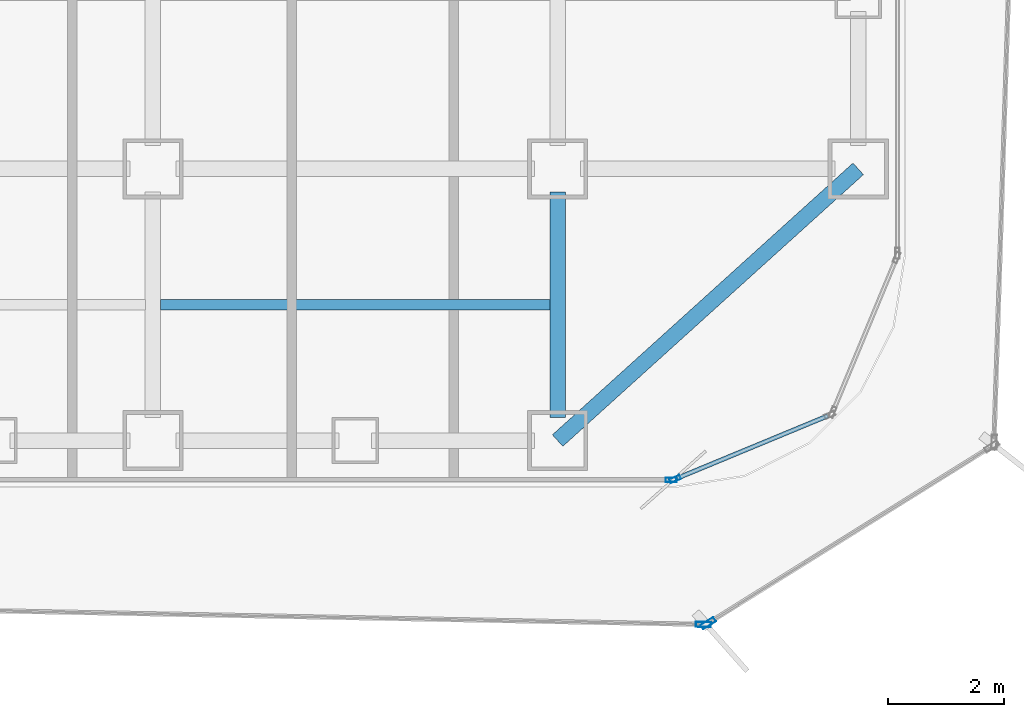
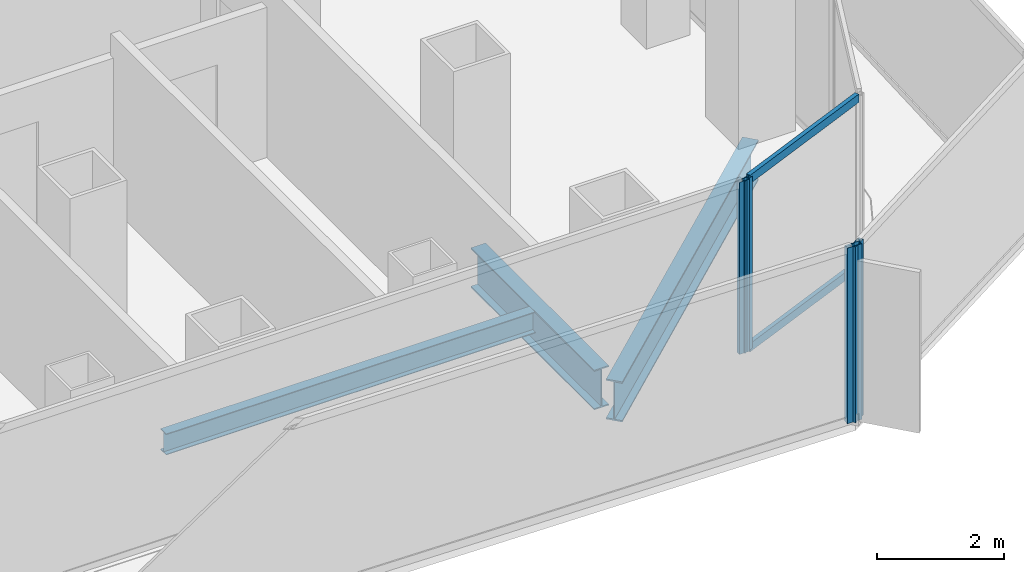
# One storey, part 6 of 22: 6 members, 3 beams, 4 elements without a shape of their own.
"""IFC4 building model written with IfcOpenShell, lengths in metres."""

import ifcopenshell
import ifcopenshell.guid

model = None  # the IFC model being written
_history = None  # IfcOwnerHistory: only IFC2X3 demands one
_inside = {}  # id of a spatial element -> (the spatial element, [elements in it])
_under = {}  # id of a project, library or spatial element -> (it, [spatial elements below it])
_declared = {}  # id of a project -> (the project, [libraries it declares])
_typed = {}  # id of a type object -> (the type object, [elements of that type])
_made_of = {}  # id of a material, layer set ... -> (it, [elements and type objects made of it])


def new_model(schema):
    """Start an empty IFC model of exactly this schema.

    Asked for "IFC4X3", IfcOpenShell would pick the latest addendum, in which some entities
    have other attributes; the version numbers below select the first issue.
    IFC2X3 requires an IfcOwnerHistory on every rooted entity: one is made here for all.
    """
    global model, _history
    if schema == "IFC4X3":
        model = ifcopenshell.file(schema_version=(4, 3, 0, 0))
    else:
        model = ifcopenshell.file(schema=schema)
    _inside.clear()
    _under.clear()
    _declared.clear()
    _typed.clear()
    _made_of.clear()
    _history = None
    if model.schema == "IFC2X3":
        org = make("IfcOrganization", Name="unknown")
        user = make(
            "IfcPersonAndOrganization",
            ThePerson=make("IfcPerson", FamilyName="unknown"),
            TheOrganization=org,
        )
        app = make(
            "IfcApplication",
            ApplicationDeveloper=org,
            Version="unknown",
            ApplicationFullName="unknown",
            ApplicationIdentifier="unknown",
        )
        _history = make(
            "IfcOwnerHistory",
            OwningUser=user,
            OwningApplication=app,
            ChangeAction="ADDED",
            CreationDate=0,
        )
    return model


def make(cls, **values):
    """One entity of the class cls with the attributes given. An attribute that is None is left unset."""
    return model.create_entity(
        cls, **{name: value for name, value in values.items() if value is not None}
    )


def rooted(cls, **values):
    """An entity with a GlobalId (a new one), such as an element, a storey or a relation."""
    return make(cls, GlobalId=ifcopenshell.guid.new(), OwnerHistory=_history, **values)


def si_unit(unit_type, name, prefix=None):
    """IfcSIUnit, for example si_unit("LENGTHUNIT", "METRE", prefix="MILLI")."""
    return make("IfcSIUnit", UnitType=unit_type, Prefix=prefix, Name=name)


def assignment(units):
    """IfcUnitAssignment: the units of a project."""
    return None if units is None else make("IfcUnitAssignment", Units=units)


def point(xyz):
    """IfcCartesianPoint."""
    return None if xyz is None else make("IfcCartesianPoint", Coordinates=xyz)


def direction(xyz):
    """IfcDirection."""
    return None if xyz is None else make("IfcDirection", DirectionRatios=xyz)


def frame(location, z_axis=None, x_axis=None):
    """IfcAxis2Placement3D, a coordinate frame: its origin and axes. An axis left out is left unset."""
    return make(
        "IfcAxis2Placement3D",
        Location=point(location),
        Axis=direction(z_axis),
        RefDirection=direction(x_axis),
    )


def frame_2d(location, x_axis=None):
    """IfcAxis2Placement2D, a coordinate frame in the plane: its origin and x axis."""
    return make(
        "IfcAxis2Placement2D", Location=point(location), RefDirection=direction(x_axis)
    )


def origin():
    """The frame at (0, 0, 0) with its axes left unset."""
    return frame((0.0, 0.0, 0.0))


def origin_2d():
    """The frame at (0, 0) in the plane with its x axis left unset."""
    return frame_2d((0.0, 0.0))


def place(relative_to, where):
    """IfcLocalPlacement: puts the frame where relative to a parent placement (None: the world)."""
    return make(
        "IfcLocalPlacement", PlacementRelTo=relative_to, RelativePlacement=where
    )


def context(
    kind, dimensions, precision=None, world=None, true_north=None, identifier=None
):
    """IfcGeometricRepresentationContext, for example the 3D "Model" context."""
    return make(
        "IfcGeometricRepresentationContext",
        ContextIdentifier=identifier,
        ContextType=kind,
        CoordinateSpaceDimension=dimensions,
        Precision=precision,
        WorldCoordinateSystem=world,
        TrueNorth=true_north,
    )


def subcontext(parent, identifier, kind, view, scale=None):
    """IfcGeometricRepresentationSubContext, for example "Body" below "Model"."""
    return make(
        "IfcGeometricRepresentationSubContext",
        ContextIdentifier=identifier,
        ContextType=kind,
        ParentContext=parent,
        TargetScale=scale,
        TargetView=view,
    )


def project(units=None, contexts=None):
    """IfcProject with its units and contexts."""
    return rooted(
        "IfcProject",
        Name="project",
        RepresentationContexts=contexts,
        UnitsInContext=assignment(units),
    )


def spatial(cls, under=None, at=None, **own):
    """A site, building, storey or space (cls), placed at a placement, below another one or the project."""
    s = rooted(cls, ObjectPlacement=at, **own)
    if under is not None:
        _under.setdefault(under.id(), (under, []))[1].append(s)
    return s


def profile(cls, at=None, kind="AREA", **sizes):
    """A parametric profile (cls). Its sizes go by their IFC names, for example OverallWidth=200.0."""
    return make(cls, ProfileType=kind, Position=at, **sizes)


def hollow_rectangle(**sizes):
    """IfcRectangleHollowProfileDef."""
    return profile("IfcRectangleHollowProfileDef", **sizes)


def i_section(**sizes):
    """IfcIShapeProfileDef."""
    return profile("IfcIShapeProfileDef", **sizes)


def extrude(swept, where, along, depth):
    """IfcExtrudedAreaSolid: the profile swept, set in the frame where, extruded along a direction by depth."""
    return make(
        "IfcExtrudedAreaSolid",
        SweptArea=swept,
        Position=where,
        ExtrudedDirection=direction(along),
        Depth=depth,
    )


def shape(context_of_items, identifier, shape_type, items):
    """IfcShapeRepresentation: the items that make up one representation, for example the "Body"."""
    return make(
        "IfcShapeRepresentation",
        ContextOfItems=context_of_items,
        RepresentationIdentifier=identifier,
        RepresentationType=shape_type,
        Items=items,
    )


def source(mapping_origin, context_of_items, identifier, shape_type, items):
    """IfcRepresentationMap: a shape defined once, which mapped items show again and again."""
    return make(
        "IfcRepresentationMap",
        MappingOrigin=mapping_origin,
        MappedRepresentation=shape(context_of_items, identifier, shape_type, items),
    )


def transform(
    local_origin,
    x_axis=None,
    y_axis=None,
    z_axis=None,
    scale=None,
    scale2=None,
    scale3=None,
    uniform=True,
):
    """IfcCartesianTransformationOperator3D, or its non-uniform kind. x_axis, y_axis, z_axis: its Axis1, 2, 3."""
    if uniform:
        return make(
            "IfcCartesianTransformationOperator3D",
            Axis1=direction(x_axis),
            Axis2=direction(y_axis),
            LocalOrigin=point(local_origin),
            Scale=scale,
            Axis3=direction(z_axis),
        )
    return make(
        "IfcCartesianTransformationOperator3DnonUniform",
        Axis1=direction(x_axis),
        Axis2=direction(y_axis),
        LocalOrigin=point(local_origin),
        Scale=scale,
        Axis3=direction(z_axis),
        Scale2=scale2,
        Scale3=scale3,
    )


def mapped(mapping_source, mapping_target):
    """IfcMappedItem: shows the shape of a source again, moved by a transform."""
    return make(
        "IfcMappedItem", MappingSource=mapping_source, MappingTarget=mapping_target
    )


def material(Name=None, Category=None):
    """IfcMaterial."""
    return make("IfcMaterial", Name=Name, Category=Category)


def layer(
    of_material, thickness, ventilated=None, Name=None, Category=None, Priority=None
):
    """IfcMaterialLayer: one layer of a wall or slab, of a material (None: an air gap)."""
    return make(
        "IfcMaterialLayer",
        Material=of_material,
        LayerThickness=thickness,
        IsVentilated=ventilated,
        Name=Name,
        Category=Category,
        Priority=Priority,
    )


def layer_set(layers, Name=None):
    """IfcMaterialLayerSet."""
    return make("IfcMaterialLayerSet", MaterialLayers=layers, LayerSetName=Name)


def material_profile(
    of_material, cross_section, Name=None, Category=None, Priority=None
):
    """IfcMaterialProfile: a cross section and its material."""
    return make(
        "IfcMaterialProfile",
        Name=Name,
        Material=of_material,
        Profile=cross_section,
        Priority=Priority,
        Category=Category,
    )


def profile_set(profiles, Name=None, composite=None):
    """IfcMaterialProfileSet."""
    return make(
        "IfcMaterialProfileSet",
        Name=Name,
        MaterialProfiles=profiles,
        CompositeProfile=composite,
    )


def made_of(thing, what):
    """Note that an element or type object is made of a material, layer set ...; save() writes the relation."""
    if what is not None:
        _made_of.setdefault(what.id(), (what, []))[1].append(thing)
    return thing


def type_object(cls, material=None, **own):
    """A type object (cls), such as IfcWallType, which elements share."""
    return made_of(rooted(cls, **own), material)


def element(
    cls,
    number,
    at=None,
    inside=None,
    cuts=None,
    type_object=None,
    material=None,
    context=None,
    identifier="Body",
    shape_type=None,
    held_by="IfcProductDefinitionShape",
    body=None,
    shapes=None,
    **own,
):
    """One element of the class cls, such as IfcWall. Its Tag is "e" and its number.

    at: its placement. inside: the storey or other place that contains it. cuts: it is an
    opening in that element (IfcRelVoidsElement). A single representation is given by context,
    identifier, shape_type and body (its items); several are given by shapes. held_by: the class
    of the entity that holds the representations. save() writes the other relations.
    """
    e = rooted(cls, Tag="e%d" % number, ObjectPlacement=at, **own)
    if body is not None:
        shapes = [shape(context, identifier, shape_type, body)]
    if shapes is not None:
        e.Representation = make(held_by, Representations=shapes)
    if inside is not None:
        _inside.setdefault(inside.id(), (inside, []))[1].append(e)
    if cuts is not None:
        rooted(
            "IfcRelVoidsElement", RelatingBuildingElement=cuts, RelatedOpeningElement=e
        )
    if type_object is not None:
        _typed.setdefault(type_object.id(), (type_object, []))[1].append(e)
    return made_of(e, material)


def aggregate(whole, parts):
    """IfcRelAggregates: a whole, such as a stair, and the parts it consists of."""
    return rooted("IfcRelAggregates", RelatingObject=whole, RelatedObjects=parts)


def save(model, path):
    """Write the relations noted so far, then the file.

    IfcRelAggregates (storeys below a building ...), IfcRelContainedInSpatialStructure (elements
    in a storey), IfcRelDefinesByType, IfcRelAssociatesMaterial and IfcRelDeclares: one each for
    every whole, place, type object, material and project.
    """
    for whole, parts in _under.values():
        aggregate(whole, parts)
    for where, things in _inside.values():
        rooted(
            "IfcRelContainedInSpatialStructure",
            RelatedElements=things,
            RelatingStructure=where,
        )
    for kind, things in _typed.values():
        rooted("IfcRelDefinesByType", RelatedObjects=things, RelatingType=kind)
    for what, things in _made_of.values():
        rooted("IfcRelAssociatesMaterial", RelatedObjects=things, RelatingMaterial=what)
    for by, libraries in _declared.values():
        rooted("IfcRelDeclares", RelatingContext=by, RelatedDefinitions=libraries)
    model.write(path)


model = new_model("IFC4")

# Units and contexts
model_context = context("Model", 3, precision=1e-05, world=origin(), true_north=direction((0.0, 1.0)))
body_context = subcontext(model_context, "Body", "Model", "MODEL_VIEW")
ifc_project = project(units=[si_unit("LENGTHUNIT", "METRE"), si_unit("AREAUNIT", "SQUARE_METRE"), si_unit("VOLUMEUNIT", "CUBIC_METRE"), si_unit("PLANEANGLEUNIT", "RADIAN"), si_unit("MASSUNIT", "GRAM", prefix="KILO")], contexts=[model_context])

# Site, building, storey
site_placement = place(None, origin())
site = spatial("IfcSite", under=ifc_project, at=site_placement, CompositionType="ELEMENT")
building_placement = place(site_placement, origin())
building = spatial("IfcBuilding", under=site, at=building_placement, Name="Kolveth Station Tower", CompositionType="ELEMENT")
storey_placement = place(building_placement, frame((0.0, 0.0, 69.300048828125)))
storey = spatial("IfcBuildingStorey", under=building, at=storey_placement, Name="L18", CompositionType="ELEMENT", Elevation=69.300048828125)

# Beams
ifc_material_1 = material(Name="Steel S355", Category="steel")
ifc_material_profile_1 = material_profile(ifc_material_1, i_section(OverallWidth=0.26904296875, OverallDepth=0.77490234375, WebThickness=0.01708984375, FlangeThickness=0.0283203125, at=origin_2d()), Name="W760x220")
ifc_profile_set_1 = profile_set([ifc_material_profile_1], Name="Steel S355")
beam_type_1 = type_object("IfcBeamType", Name="Beam_SP1", PredefinedType="SPANDREL", material=ifc_profile_set_1)
shared_shape_1 = source(origin(), body_context, "Body", "SweptSolid", [
    extrude(i_section(OverallWidth=0.26904296875, OverallDepth=0.77490234375, WebThickness=0.01708984375, FlangeThickness=0.0283203125, at=origin_2d()), origin(), (0.0, 0.0, 1.0), 7.00927734375),
])
beam_1_placement = place(storey_placement, frame((41.0, 0.800048828125, -0.66748046875), z_axis=(0.741874009795, 0.670539300557, 0.0), x_axis=(-0.670539300557, 0.741874009795, 0.0)))
element("IfcBeam", 1, at=beam_1_placement, inside=storey, type_object=beam_type_1, Name="L18 Corner Edge Girder BM-L18-CNR-SE", PredefinedType="SPANDREL", context=body_context, shape_type="MappedRepresentation", body=[
    mapped(shared_shape_1, transform((0.0, 0.0, 0.0), x_axis=(1.0, 0.0, 0.0), y_axis=(0.0, 1.0, 0.0), z_axis=(0.0, 0.0, 1.0), scale=1.0)),
])
ifc_material_profile_2 = material_profile(ifc_material_1, i_section(OverallWidth=0.26708984375, OverallDepth=0.76611328125, WebThickness=0.014892578125, FlangeThickness=0.023681640625, at=origin_2d()), Name="W760x185")
ifc_profile_set_2 = profile_set([ifc_material_profile_2], Name="Steel S355")
beam_type_2 = type_object("IfcBeamType", Name="Beam_B3", PredefinedType="BEAM", material=ifc_profile_set_2)
shared_shape_2 = source(origin(), body_context, "Body", "SweptSolid", [
    extrude(i_section(OverallWidth=0.26708984375, OverallDepth=0.76611328125, WebThickness=0.014892578125, FlangeThickness=0.023681640625, at=origin_2d()), origin(), (0.0, 0.0, 1.0), 3.900146484375),
])
beam_2_placement = place(storey_placement, frame((41.0, 1.199951171875, -0.6630859375), z_axis=(0.0, 1.0, 0.0), x_axis=(-1.0, 0.0, 0.0)))
element("IfcBeam", 2, at=beam_2_placement, inside=storey, type_object=beam_type_2, Name="L18 Primary Girder BM-L18-GX410-1", PredefinedType="BEAM", context=body_context, shape_type="MappedRepresentation", body=[
    mapped(shared_shape_2, transform((0.0, 0.0, 0.0), x_axis=(1.0, 0.0, 0.0), y_axis=(0.0, 1.0, 0.0), z_axis=(0.0, 0.0, 1.0), scale=1.0)),
])
ifc_material_profile_3 = material_profile(ifc_material_1, i_section(OverallWidth=0.177978515625, OverallDepth=0.406982421875, WebThickness=0.0078125, FlangeThickness=0.0126953125, at=origin_2d()), Name="W410x60")
ifc_profile_set_3 = profile_set([ifc_material_profile_3], Name="Steel S355")
beam_type_3 = type_object("IfcBeamType", Name="Beam_J1", PredefinedType="JOIST", material=ifc_profile_set_3)
shared_shape_3 = source(origin(), body_context, "Body", "SweptSolid", [
    extrude(i_section(OverallWidth=0.177978515625, OverallDepth=0.406982421875, WebThickness=0.0078125, FlangeThickness=0.0126953125, at=origin_2d()), origin(), (0.0, 0.0, 1.0), 6.73681640625),
])
beam_3_placement = place(storey_placement, frame((34.131591796875, 3.14990234375, -0.483642578125), z_axis=(1.0, 0.0, 0.0), x_axis=(0.0, 1.0, 0.0)))
element("IfcBeam", 3, at=beam_3_placement, inside=storey, type_object=beam_type_3, Name="L18 Secondary Joist JST-L18-6-1", PredefinedType="JOIST", context=body_context, shape_type="MappedRepresentation", body=[
    mapped(shared_shape_3, transform((0.0, 0.0, 0.0), x_axis=(1.0, 0.0, 0.0), y_axis=(0.0, 1.0, 0.0), z_axis=(0.0, 0.0, 1.0), scale=1.0)),
])

# Curtain wall, member
ifc_material_2 = material(Name="Aluminium 6063-T6 and low-E dark glass", Category="aluminium")
ifc_layer_1 = layer(ifc_material_2, 0.179931640625)
ifc_layer_set_1 = layer_set([ifc_layer_1], Name="Aluminium 6063-T6 and low-E dark glass")
curtain_wall_type_1 = type_object("IfcCurtainWallType", Name="CurtainWall_CW-Z1", PredefinedType="NOTDEFINED", material=ifc_layer_set_1)
curtain_wall_1_placement = place(storey_placement, origin())
curtain_wall_1 = element("IfcCurtainWall", 4, at=curtain_wall_1_placement, inside=storey, type_object=curtain_wall_type_1, Name="L18 Inner Thermal Curtain Wall 1", PredefinedType="NOTDEFINED")
ifc_material_3 = material(Name="Black anodized aluminium 6063-T6", Category="aluminium")
ifc_material_profile_4 = material_profile(ifc_material_3, hollow_rectangle(XDim=0.074951171875, YDim=0.18994140625, WallThickness=0.0048828125, at=origin_2d()), Name="ALU-75x190x5")
ifc_profile_set_4 = profile_set([ifc_material_profile_4], Name="Black anodized aluminium 6063-T6")
member_type_1 = type_object("IfcMemberType", Name="Mullion_ML1", PredefinedType="MULLION", material=ifc_profile_set_4)
shared_shape_4 = source(origin(), body_context, "Body", "SweptSolid", [
    extrude(hollow_rectangle(XDim=0.074951171875, YDim=0.18994140625, WallThickness=0.0048828125, at=origin_2d()), origin(), (0.0, 0.0, 1.0), 3.320068359375),
])
member_1_placement = place(storey_placement, frame((43.03466796875, 0.13427734375, 0.0), z_axis=(0.0, 0.0, 1.0), x_axis=(-0.382672990201, 0.923883857728, 0.0)))
member_1 = element("IfcMember", 5, at=member_1_placement, type_object=member_type_1, Name="CW-Z1 mullion 1", PredefinedType="MULLION", context=body_context, shape_type="MappedRepresentation", body=[
    mapped(shared_shape_4, transform((0.0, 0.0, 0.0), x_axis=(1.0, 0.0, 0.0), y_axis=(0.0, 1.0, 0.0), z_axis=(0.0, 0.0, 1.0), scale=1.0)),
])

curtain_wall_2_placement = place(storey_placement, origin())
curtain_wall_2 = element("IfcCurtainWall", 6, at=curtain_wall_2_placement, inside=storey, type_object=curtain_wall_type_1, Name="L18 Inner Thermal Curtain Wall 12", PredefinedType="NOTDEFINED")
member_2_placement = place(storey_placement, frame((42.96240234375, 0.1201171875, 0.0), z_axis=(0.0, 0.0, 1.0), x_axis=(0.0, 1.0, 0.0)))
member_2 = element("IfcMember", 7, at=member_2_placement, type_object=member_type_1, Name="CW-Z1 mullion 3", PredefinedType="MULLION", context=body_context, shape_type="MappedRepresentation", body=[
    mapped(shared_shape_4, transform((0.0, 0.0, 0.0), x_axis=(1.0, 0.0, 0.0), y_axis=(0.0, 1.0, 0.0), z_axis=(0.0, 0.0, 1.0), scale=1.0)),
])
aggregate(curtain_wall_2, [member_2])

# Member
ifc_material_profile_5 = material_profile(ifc_material_3, hollow_rectangle(XDim=0.074951171875, YDim=0.159912109375, WallThickness=0.0048828125, at=origin_2d()), Name="ALU-75x160x5")
ifc_profile_set_5 = profile_set([ifc_material_profile_5], Name="Black anodized aluminium 6063-T6")
member_type_2 = type_object("IfcMemberType", Name="Transom_TR1", PredefinedType="USERDEFINED", material=ifc_profile_set_5)
shared_shape_5 = source(origin(), body_context, "Body", "SweptSolid", [
    extrude(hollow_rectangle(XDim=0.074951171875, YDim=0.159912109375, WallThickness=0.0048828125, at=origin_2d()), origin(), (0.0, 0.0, 1.0), 2.819580078125),
])
member_3_placement = place(storey_placement, frame((43.0693359375, 0.148681640625, 0.037353515625), z_axis=(0.923869084389, 0.382708655389, 0.0), x_axis=(-0.382708655389, 0.923869084389, 0.0)))
member_3 = element("IfcMember", 8, at=member_3_placement, type_object=member_type_2, Name="CW-Z1 transom 1.1", ObjectType="TRANSOM", PredefinedType="USERDEFINED", context=body_context, shape_type="MappedRepresentation", body=[
    mapped(shared_shape_5, transform((0.0, 0.0, 0.0), x_axis=(1.0, 0.0, 0.0), y_axis=(0.0, 1.0, 0.0), z_axis=(0.0, 0.0, 1.0), scale=1.0)),
])

member_4_placement = place(storey_placement, frame((43.0693359375, 0.148681640625, 3.282470703125), z_axis=(0.923869084389, 0.382708655389, 0.0), x_axis=(-0.382708655389, 0.923869084389, 0.0)))
member_4 = element("IfcMember", 9, at=member_4_placement, type_object=member_type_2, Name="CW-Z1 transom 1.2", ObjectType="TRANSOM", PredefinedType="USERDEFINED", context=body_context, shape_type="MappedRepresentation", body=[
    mapped(shared_shape_5, transform((0.0, 0.0, 0.0), x_axis=(1.0, 0.0, 0.0), y_axis=(0.0, 1.0, 0.0), z_axis=(0.0, 0.0, 1.0), scale=1.0)),
])

aggregate(curtain_wall_1, [member_1, member_3, member_4])

# Curtain wall, member
ifc_material_4 = material(Name="Black anodized aluminium 6063-T6 and dark solar glass", Category="aluminium")
ifc_layer_2 = layer(ifc_material_4, 0.159912109375)
ifc_layer_set_2 = layer_set([ifc_layer_2], Name="Black anodized aluminium 6063-T6 and dark solar glass")
curtain_wall_type_2 = type_object("IfcCurtainWallType", Name="OUTER SKIN CW-OS", PredefinedType="NOTDEFINED", material=ifc_layer_set_2)
curtain_wall_3_placement = place(storey_placement, origin())
curtain_wall_3 = element("IfcCurtainWall", 10, at=curtain_wall_3_placement, inside=storey, type_object=curtain_wall_type_2, Name="L18 Outer Ventilated Skin Curtain Wall 1", PredefinedType="NOTDEFINED")
ifc_material_profile_6 = material_profile(ifc_material_3, hollow_rectangle(XDim=0.090087890625, YDim=0.260009765625, WallThickness=0.0048828125, at=origin_2d()), Name="ALU-90x260x5")
ifc_profile_set_6 = profile_set([ifc_material_profile_6], Name="Black anodized aluminium 6063-T6")
member_type_3 = type_object("IfcMemberType", Name="FIN MULLION ML-OS", PredefinedType="MULLION", material=ifc_profile_set_6)
shared_shape_6 = source(origin(), body_context, "Body", "SweptSolid", [
    extrude(hollow_rectangle(XDim=0.090087890625, YDim=0.260009765625, WallThickness=0.0048828125, at=origin_2d()), origin(), (0.0, 0.0, 1.0), 3.389892578125),
])
member_5_placement = place(storey_placement, frame((43.606201171875, -2.359375, 0.0), z_axis=(0.0, 0.0, 1.0), x_axis=(-0.529078641746, 0.848572796434, 0.0)))
member_5 = element("IfcMember", 11, at=member_5_placement, type_object=member_type_3, Name="CW-OS mullion 1", PredefinedType="MULLION", context=body_context, shape_type="MappedRepresentation", body=[
    mapped(shared_shape_6, transform((0.0, 0.0, 0.0), x_axis=(1.0, 0.0, 0.0), y_axis=(0.0, 1.0, 0.0), z_axis=(0.0, 0.0, 1.0), scale=1.0)),
])
aggregate(curtain_wall_3, [member_5])

curtain_wall_4_placement = place(storey_placement, origin())
curtain_wall_4 = element("IfcCurtainWall", 12, at=curtain_wall_4_placement, inside=storey, type_object=curtain_wall_type_2, Name="L18 Outer Ventilated Skin Curtain Wall 8", PredefinedType="NOTDEFINED")
member_6_placement = place(storey_placement, frame((43.52294921875, -2.38232421875, 0.0), z_axis=(0.0, 0.0, 1.0), x_axis=(0.019127364348, 0.999817055232, 0.0)))
member_6 = element("IfcMember", 13, at=member_6_placement, type_object=member_type_3, Name="CW-OS mullion 2", PredefinedType="MULLION", context=body_context, shape_type="MappedRepresentation", body=[
    mapped(shared_shape_6, transform((0.0, 0.0, 0.0), x_axis=(1.0, 0.0, 0.0), y_axis=(0.0, 1.0, 0.0), z_axis=(0.0, 0.0, 1.0), scale=1.0)),
])
aggregate(curtain_wall_4, [member_6])

save(model, "model.ifc")
